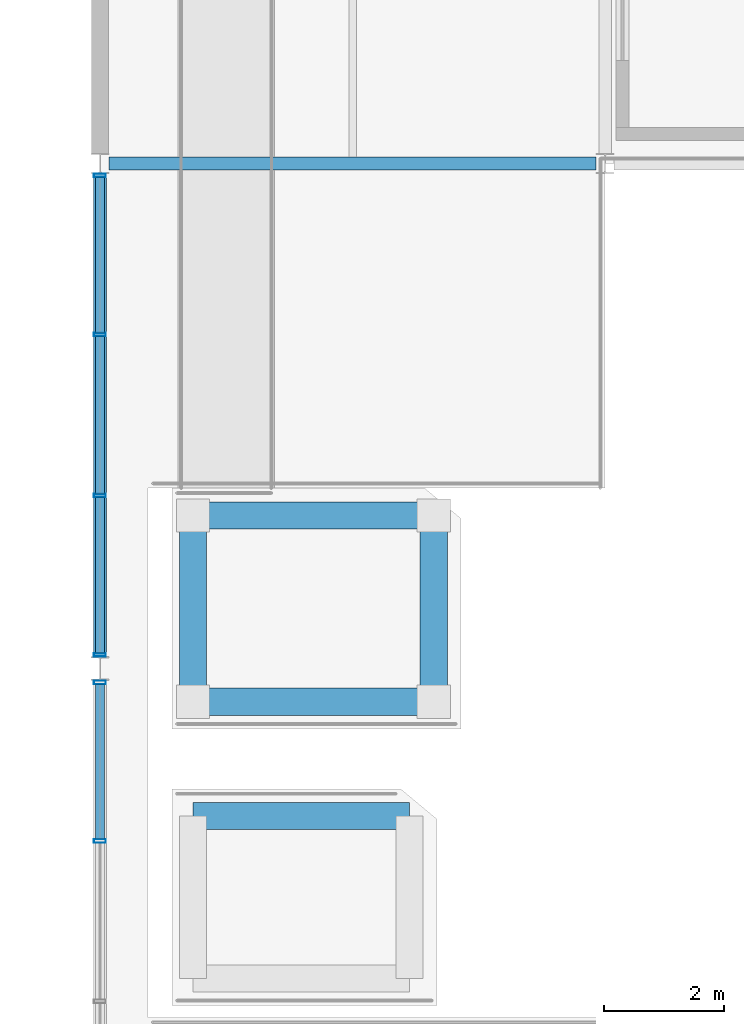
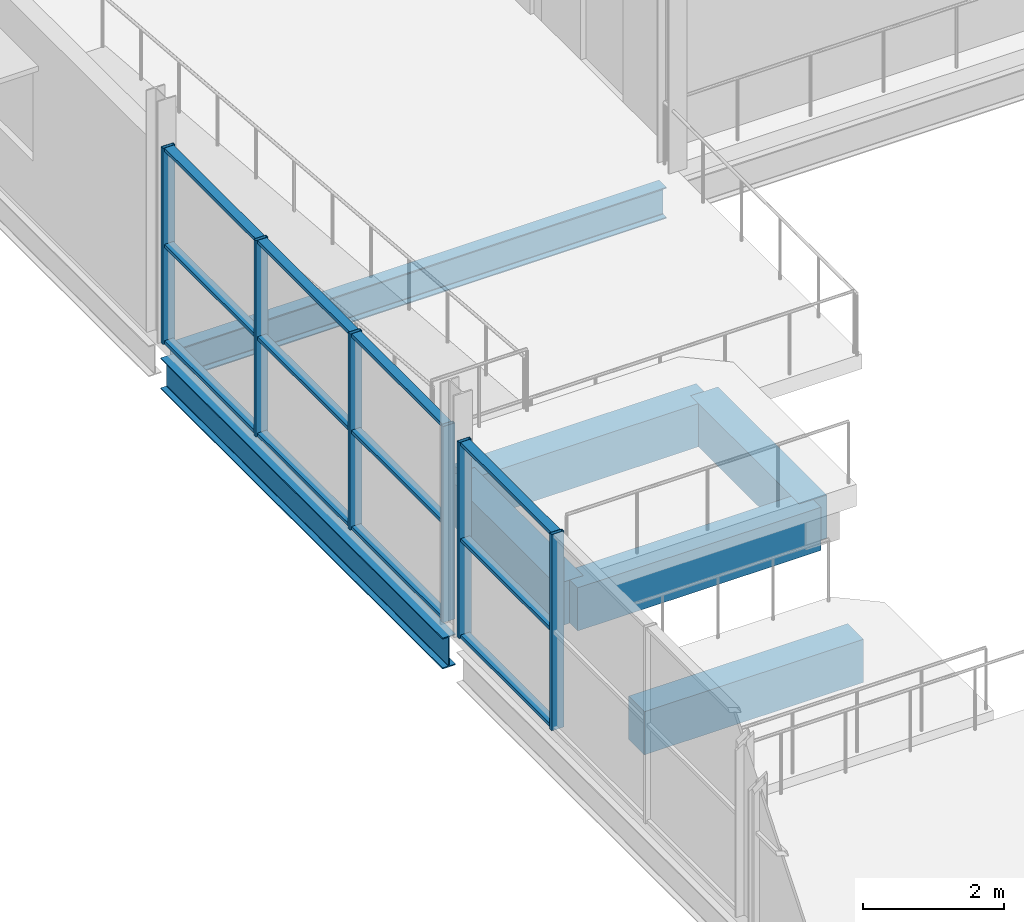
# One storey, part 32 of 93: 18 members, 7 beams, 2 elements without a shape of their own.
"""IFC4 building model written with IfcOpenShell, lengths in metres."""

from ifc_helpers import new_model, si_unit, direction, frame, origin, origin_2d, place, context, subcontext, project, spatial, rectangle, hollow_rectangle, i_section, extrude, material, material_profile, profile_set, type_object, element, aggregate, save


model = new_model("IFC4")

# Units and contexts
model_context = context("Model", 3, precision=1e-05, world=origin(), true_north=direction((0.0, 1.0)))
body_context = subcontext(model_context, "Body", "Model", "MODEL_VIEW")
ifc_project = project(units=[si_unit("LENGTHUNIT", "METRE"), si_unit("AREAUNIT", "SQUARE_METRE"), si_unit("VOLUMEUNIT", "CUBIC_METRE"), si_unit("PLANEANGLEUNIT", "RADIAN"), si_unit("MASSUNIT", "GRAM", prefix="KILO"), si_unit("THERMODYNAMICTEMPERATUREUNIT", "KELVIN")], contexts=[model_context])

# Site, building, storey
site_placement = place(None, origin())
site = spatial("IfcSite", under=ifc_project, at=site_placement, CompositionType="ELEMENT")
building_placement = place(site_placement, origin())
building = spatial("IfcBuilding", under=site, at=building_placement, Name="Nduvali Passage Aquatics Centre", CompositionType="ELEMENT")
storey_placement = place(building_placement, frame((0.0, 0.0, 9.0)))
storey = spatial("IfcBuildingStorey", under=building, at=storey_placement, Name="L02", CompositionType="ELEMENT", Elevation=9.0)

# Curtain wall, members
ifc_material_1 = material(Name="Aluminium EN AW-6063 T6", Category="aluminium")
curtain_wall_type = type_object("IfcCurtainWallType", Name="ENV-CW-DIVE", PredefinedType="NOTDEFINED", material=ifc_material_1)
curtain_wall_1_placement = place(storey_placement, origin())
curtain_wall_1 = element("IfcCurtainWall", 1, at=curtain_wall_1_placement, inside=storey, type_object=curtain_wall_type, Name="L02 West Diving High Platform CW 139", PredefinedType="NOTDEFINED")
ifc_material_profile_1 = material_profile(ifc_material_1, hollow_rectangle(XDim=0.06005859375, YDim=0.199951171875, WallThickness=0.00390625, at=origin_2d()), Name="ALU MULLION 60x200x4")
ifc_profile_set_1 = profile_set([ifc_material_profile_1], Name="Aluminium EN AW-6063 T6")
member_type_1 = type_object("IfcMemberType", Name="ENV-MEM-MUL80", PredefinedType="MULLION", material=ifc_profile_set_1)
member_1_placement = place(storey_placement, frame((0.0, 64.333251953125, 0.0), z_axis=(0.0, 0.0, 1.0), x_axis=(0.0, 1.0, 0.0)))
member_1 = element("IfcMember", 2, at=member_1_placement, type_object=member_type_1, Name="West Diving High Platform CW Mullion 3", PredefinedType="MULLION", context=body_context, shape_type="SweptSolid", body=[
    extrude(hollow_rectangle(XDim=0.06005859375, YDim=0.199951171875, WallThickness=0.00390625, at=origin_2d()), origin(), (0.0, 0.0, 1.0), 3.406494140625),
])
member_2_placement = place(storey_placement, frame((0.0, 66.969970703125, 0.0), z_axis=(0.0, 0.0, 1.0), x_axis=(0.0, 1.0, 0.0)))
member_2 = element("IfcMember", 3, at=member_2_placement, type_object=member_type_1, Name="West Diving High Platform CW Mullion 4", PredefinedType="MULLION", context=body_context, shape_type="SweptSolid", body=[
    extrude(hollow_rectangle(XDim=0.06005859375, YDim=0.199951171875, WallThickness=0.00390625, at=origin_2d()), origin(), (0.0, 0.0, 1.0), 3.406494140625),
])

curtain_wall_2_placement = place(storey_placement, origin())
curtain_wall_2 = element("IfcCurtainWall", 4, at=curtain_wall_2_placement, inside=storey, type_object=curtain_wall_type, Name="L02 West Diving High Platform CW 144", PredefinedType="NOTDEFINED")
member_3_placement = place(storey_placement, frame((0.0, 67.429931640625, 0.0), z_axis=(0.0, 0.0, 1.0), x_axis=(0.0, 1.0, 0.0)))
member_3 = element("IfcMember", 5, at=member_3_placement, type_object=member_type_1, Name="West Diving High Platform CW Mullion 1", PredefinedType="MULLION", context=body_context, shape_type="SweptSolid", body=[
    extrude(hollow_rectangle(XDim=0.06005859375, YDim=0.199951171875, WallThickness=0.00390625, at=origin_2d()), origin(), (0.0, 0.0, 1.0), 3.406494140625),
])
member_4_placement = place(storey_placement, frame((0.0, 70.07666015625, 0.0), z_axis=(0.0, 0.0, 1.0), x_axis=(0.0, 1.0, 0.0)))
member_4 = element("IfcMember", 6, at=member_4_placement, type_object=member_type_1, Name="West Diving High Platform CW Mullion 2", PredefinedType="MULLION", context=body_context, shape_type="SweptSolid", body=[
    extrude(hollow_rectangle(XDim=0.06005859375, YDim=0.199951171875, WallThickness=0.00390625, at=origin_2d()), origin(), (0.0, 0.0, 1.0), 3.406494140625),
])
member_5_placement = place(storey_placement, frame((0.0, 72.75341796875, 0.0), z_axis=(0.0, 0.0, 1.0), x_axis=(0.0, 1.0, 0.0)))
member_5 = element("IfcMember", 7, at=member_5_placement, type_object=member_type_1, Name="West Diving High Platform CW Mullion 3", PredefinedType="MULLION", context=body_context, shape_type="SweptSolid", body=[
    extrude(hollow_rectangle(XDim=0.06005859375, YDim=0.199951171875, WallThickness=0.00390625, at=origin_2d()), origin(), (0.0, 0.0, 1.0), 3.406494140625),
])
member_6_placement = place(storey_placement, frame((0.0, 75.39990234375, 0.0), z_axis=(0.0, 0.0, 1.0), x_axis=(0.0, 1.0, 0.0)))
member_6 = element("IfcMember", 8, at=member_6_placement, type_object=member_type_1, Name="West Diving High Platform CW Mullion 4", PredefinedType="MULLION", context=body_context, shape_type="SweptSolid", body=[
    extrude(hollow_rectangle(XDim=0.06005859375, YDim=0.199951171875, WallThickness=0.00390625, at=origin_2d()), origin(), (0.0, 0.0, 1.0), 3.406494140625),
])

# Member
ifc_material_profile_2 = material_profile(ifc_material_1, hollow_rectangle(XDim=0.14990234375, YDim=0.06005859375, WallThickness=0.00390625, at=origin_2d()), Name="ALU TRANSOM 150x60x4")
ifc_profile_set_2 = profile_set([ifc_material_profile_2], Name="Aluminium EN AW-6063 T6")
member_type_2 = type_object("IfcMemberType", Name="ENV-MEM-TRN80", PredefinedType="USERDEFINED", material=ifc_profile_set_2)
member_7_placement = place(storey_placement, frame((0.0, 64.36328125, 0.030029296875), z_axis=(0.0, 1.0, 0.0), x_axis=(-1.0, 0.0, 0.0)))
member_7 = element("IfcMember", 9, at=member_7_placement, type_object=member_type_2, Name="West Diving High Platform CW Transom B3-R0", ObjectType="TRANSOM", PredefinedType="USERDEFINED", context=body_context, shape_type="SweptSolid", body=[
    extrude(hollow_rectangle(XDim=0.14990234375, YDim=0.06005859375, WallThickness=0.00390625, at=origin_2d()), origin(), (0.0, 0.0, 1.0), 2.57666015625),
])

member_8_placement = place(storey_placement, frame((0.0, 64.36328125, 1.703125), z_axis=(0.0, 1.0, 0.0), x_axis=(-1.0, 0.0, 0.0)))
member_8 = element("IfcMember", 10, at=member_8_placement, type_object=member_type_2, Name="West Diving High Platform CW Transom B3-R1", ObjectType="TRANSOM", PredefinedType="USERDEFINED", context=body_context, shape_type="SweptSolid", body=[
    extrude(hollow_rectangle(XDim=0.14990234375, YDim=0.06005859375, WallThickness=0.00390625, at=origin_2d()), origin(), (0.0, 0.0, 1.0), 2.57666015625),
])

member_9_placement = place(storey_placement, frame((0.0, 64.36328125, 3.37646484375), z_axis=(0.0, 1.0, 0.0), x_axis=(-1.0, 0.0, 0.0)))
member_9 = element("IfcMember", 11, at=member_9_placement, type_object=member_type_2, Name="West Diving High Platform CW Transom B3-R2", ObjectType="TRANSOM", PredefinedType="USERDEFINED", context=body_context, shape_type="SweptSolid", body=[
    extrude(hollow_rectangle(XDim=0.14990234375, YDim=0.06005859375, WallThickness=0.00390625, at=origin_2d()), origin(), (0.0, 0.0, 1.0), 2.57666015625),
])

aggregate(curtain_wall_1, [member_1, member_2, member_7, member_8, member_9])

member_10_placement = place(storey_placement, frame((0.0, 67.4599609375, 0.030029296875), z_axis=(0.0, 1.0, 0.0), x_axis=(-1.0, 0.0, 0.0)))
member_10 = element("IfcMember", 12, at=member_10_placement, type_object=member_type_2, Name="West Diving High Platform CW Transom B1-R0", ObjectType="TRANSOM", PredefinedType="USERDEFINED", context=body_context, shape_type="SweptSolid", body=[
    extrude(hollow_rectangle(XDim=0.14990234375, YDim=0.06005859375, WallThickness=0.00390625, at=origin_2d()), origin(), (0.0, 0.0, 1.0), 2.586669921875),
])

member_11_placement = place(storey_placement, frame((0.0, 67.4599609375, 1.703125), z_axis=(0.0, 1.0, 0.0), x_axis=(-1.0, 0.0, 0.0)))
member_11 = element("IfcMember", 13, at=member_11_placement, type_object=member_type_2, Name="West Diving High Platform CW Transom B1-R1", ObjectType="TRANSOM", PredefinedType="USERDEFINED", context=body_context, shape_type="SweptSolid", body=[
    extrude(hollow_rectangle(XDim=0.14990234375, YDim=0.06005859375, WallThickness=0.00390625, at=origin_2d()), origin(), (0.0, 0.0, 1.0), 2.586669921875),
])

member_12_placement = place(storey_placement, frame((0.0, 67.4599609375, 3.37646484375), z_axis=(0.0, 1.0, 0.0), x_axis=(-1.0, 0.0, 0.0)))
member_12 = element("IfcMember", 14, at=member_12_placement, type_object=member_type_2, Name="West Diving High Platform CW Transom B1-R2", ObjectType="TRANSOM", PredefinedType="USERDEFINED", context=body_context, shape_type="SweptSolid", body=[
    extrude(hollow_rectangle(XDim=0.14990234375, YDim=0.06005859375, WallThickness=0.00390625, at=origin_2d()), origin(), (0.0, 0.0, 1.0), 2.586669921875),
])

member_13_placement = place(storey_placement, frame((0.0, 70.106689453125, 0.030029296875), z_axis=(0.0, 1.0, 0.0), x_axis=(-1.0, 0.0, 0.0)))
member_13 = element("IfcMember", 15, at=member_13_placement, type_object=member_type_2, Name="West Diving High Platform CW Transom B2-R0", ObjectType="TRANSOM", PredefinedType="USERDEFINED", context=body_context, shape_type="SweptSolid", body=[
    extrude(hollow_rectangle(XDim=0.14990234375, YDim=0.06005859375, WallThickness=0.00390625, at=origin_2d()), origin(), (0.0, 0.0, 1.0), 2.61669921875),
])

member_14_placement = place(storey_placement, frame((0.0, 70.106689453125, 1.703125), z_axis=(0.0, 1.0, 0.0), x_axis=(-1.0, 0.0, 0.0)))
member_14 = element("IfcMember", 16, at=member_14_placement, type_object=member_type_2, Name="West Diving High Platform CW Transom B2-R1", ObjectType="TRANSOM", PredefinedType="USERDEFINED", context=body_context, shape_type="SweptSolid", body=[
    extrude(hollow_rectangle(XDim=0.14990234375, YDim=0.06005859375, WallThickness=0.00390625, at=origin_2d()), origin(), (0.0, 0.0, 1.0), 2.61669921875),
])

member_15_placement = place(storey_placement, frame((0.0, 70.106689453125, 3.37646484375), z_axis=(0.0, 1.0, 0.0), x_axis=(-1.0, 0.0, 0.0)))
member_15 = element("IfcMember", 17, at=member_15_placement, type_object=member_type_2, Name="West Diving High Platform CW Transom B2-R2", ObjectType="TRANSOM", PredefinedType="USERDEFINED", context=body_context, shape_type="SweptSolid", body=[
    extrude(hollow_rectangle(XDim=0.14990234375, YDim=0.06005859375, WallThickness=0.00390625, at=origin_2d()), origin(), (0.0, 0.0, 1.0), 2.61669921875),
])

member_16_placement = place(storey_placement, frame((0.0, 72.783203125, 0.030029296875), z_axis=(0.0, 1.0, 0.0), x_axis=(-1.0, 0.0, 0.0)))
member_16 = element("IfcMember", 18, at=member_16_placement, type_object=member_type_2, Name="West Diving High Platform CW Transom B3-R0", ObjectType="TRANSOM", PredefinedType="USERDEFINED", context=body_context, shape_type="SweptSolid", body=[
    extrude(hollow_rectangle(XDim=0.14990234375, YDim=0.06005859375, WallThickness=0.00390625, at=origin_2d()), origin(), (0.0, 0.0, 1.0), 2.5869140625),
])

member_17_placement = place(storey_placement, frame((0.0, 72.783203125, 1.703125), z_axis=(0.0, 1.0, 0.0), x_axis=(-1.0, 0.0, 0.0)))
member_17 = element("IfcMember", 19, at=member_17_placement, type_object=member_type_2, Name="West Diving High Platform CW Transom B3-R1", ObjectType="TRANSOM", PredefinedType="USERDEFINED", context=body_context, shape_type="SweptSolid", body=[
    extrude(hollow_rectangle(XDim=0.14990234375, YDim=0.06005859375, WallThickness=0.00390625, at=origin_2d()), origin(), (0.0, 0.0, 1.0), 2.5869140625),
])

member_18_placement = place(storey_placement, frame((0.0, 72.783203125, 3.37646484375), z_axis=(0.0, 1.0, 0.0), x_axis=(-1.0, 0.0, 0.0)))
member_18 = element("IfcMember", 20, at=member_18_placement, type_object=member_type_2, Name="West Diving High Platform CW Transom B3-R2", ObjectType="TRANSOM", PredefinedType="USERDEFINED", context=body_context, shape_type="SweptSolid", body=[
    extrude(hollow_rectangle(XDim=0.14990234375, YDim=0.06005859375, WallThickness=0.00390625, at=origin_2d()), origin(), (0.0, 0.0, 1.0), 2.5869140625),
])

aggregate(curtain_wall_2, [member_3, member_4, member_5, member_6, member_10, member_11, member_12, member_13, member_14, member_15, member_16, member_17, member_18])

# Beams
ifc_material_2 = material(Name="Concrete C40/50", Category="concrete")
ifc_material_profile_3 = material_profile(ifc_material_2, rectangle(XDim=0.449951171875, YDim=0.75, at=origin_2d()), Name="RC 450x750")
ifc_profile_set_3 = profile_set([ifc_material_profile_3], Name="Concrete C40/50")
beam_type_1 = type_object("IfcBeamType", Name="STR-BM-RC4575", PredefinedType="BEAM", material=ifc_profile_set_3)
beam_1_placement = place(storey_placement, frame((1.550048828125, 64.75, -0.7548828125), z_axis=(1.0, 0.0, 0.0), x_axis=(0.0, 1.0, 0.0)))
element("IfcBeam", 21, at=beam_1_placement, inside=storey, type_object=beam_type_1, Name="L02 Diving Platform 7P5M North Beam B3-1632", PredefinedType="BEAM", context=body_context, shape_type="SweptSolid", body=[
    extrude(rectangle(XDim=0.449951171875, YDim=0.75, at=origin_2d()), origin(), (0.0, 0.0, 1.0), 3.599853515625),
])
for number, where, z_axis, x_axis, name in (
    (22, (1.550048828125, 66.64990234375, 0.2451171875), (1.0, 0.0, 0.0), (0.0, 1.0, 0.0), "L02 Diving Platform 10M South Beam B3-1635"),
    (23, (1.550048828125, 69.75, 0.2451171875), (1.0, 0.0, 0.0), (0.0, 1.0, 0.0), "L02 Diving Platform 10M North Beam B3-1636"),
):
    element("IfcBeam", number, at=place(storey_placement, frame(where, z_axis=z_axis, x_axis=x_axis)), inside=storey, type_object=beam_type_1, Name=name, PredefinedType="BEAM", context=body_context, shape_type="SweptSolid", body=[
        extrude(rectangle(XDim=0.449951171875, YDim=0.75, at=origin_2d()), origin(), (0.0, 0.0, 1.0), 4.0),
    ])
for number, where, z_axis, x_axis, name in (
    (24, (1.550048828125, 66.64990234375, 0.2451171875), (0.0, 1.0, 0.0), (-1.0, 0.0, 0.0), "L02 Diving Platform 10M West Beam B3-1637"),
    (25, (5.550048828125, 66.64990234375, 0.2451171875), (0.0, 1.0, 0.0), (-1.0, 0.0, 0.0), "L02 Diving Platform 10M East Beam B3-1638"),
):
    element("IfcBeam", number, at=place(storey_placement, frame(where, z_axis=z_axis, x_axis=x_axis)), inside=storey, type_object=beam_type_1, Name=name, PredefinedType="BEAM", context=body_context, shape_type="SweptSolid", body=[
        extrude(rectangle(XDim=0.449951171875, YDim=0.75, at=origin_2d()), origin(), (0.0, 0.0, 1.0), 3.10009765625),
    ])
ifc_material_3 = material(Name="Steel S355", Category="steel")
ifc_material_profile_4 = material_profile(ifc_material_3, i_section(OverallWidth=0.210693359375, OverallDepth=0.53955078125, WebThickness=0.01171875, FlangeThickness=0.018798828125, FilletRadius=0.0126953125, at=origin_2d()), Name="UKB 533x210x109")
ifc_profile_set_4 = profile_set([ifc_material_profile_4], Name="Steel S355")
beam_type_2 = type_object("IfcBeamType", Name="STR-BM-UKB533", PredefinedType="BEAM", material=ifc_profile_set_4)
beam_2_placement = place(storey_placement, frame((0.14990234375, 75.60009765625, -0.53369140625), z_axis=(1.0, 0.0, 0.0), x_axis=(0.0, 1.0, 0.0)))
element("IfcBeam", 26, at=beam_2_placement, inside=storey, type_object=beam_type_2, Name="L02 Primary X-Girder B6-0905", PredefinedType="BEAM", context=body_context, shape_type="SweptSolid", body=[
    extrude(i_section(OverallWidth=0.210693359375, OverallDepth=0.53955078125, WebThickness=0.01171875, FlangeThickness=0.018798828125, FilletRadius=0.0126953125, at=origin_2d()), origin(), (0.0, 0.0, 1.0), 8.10009765625),
])
ifc_material_profile_5 = material_profile(ifc_material_3, i_section(OverallWidth=0.210693359375, OverallDepth=0.53955078125, WebThickness=0.01171875, FlangeThickness=0.018798828125, FilletRadius=0.0126953125, at=origin_2d()), Name="UKB 533x210x109")
ifc_profile_set_5 = profile_set([ifc_material_profile_5], Name="Steel S355")
beam_type_3 = type_object("IfcBeamType", Name="STR-BM-UKB533-EXT", PredefinedType="BEAM", material=ifc_profile_set_5)
beam_3_placement = place(storey_placement, frame((0.0, 67.39990234375, -0.53369140625), z_axis=(0.0, 1.0, 0.0), x_axis=(-1.0, 0.0, 0.0)))
element("IfcBeam", 27, at=beam_3_placement, inside=storey, type_object=beam_type_3, Name="L02 Primary Y-Girder B6E-0954", PredefinedType="BEAM", context=body_context, shape_type="SweptSolid", body=[
    extrude(i_section(OverallWidth=0.210693359375, OverallDepth=0.53955078125, WebThickness=0.01171875, FlangeThickness=0.018798828125, FilletRadius=0.0126953125, at=origin_2d()), origin(), (0.0, 0.0, 1.0), 8.030029296875),
])

save(model, "model.ifc")
